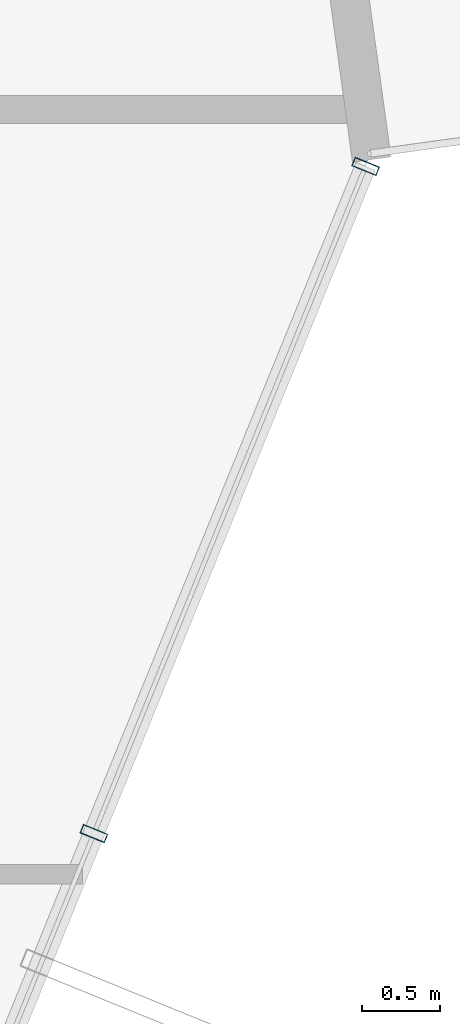
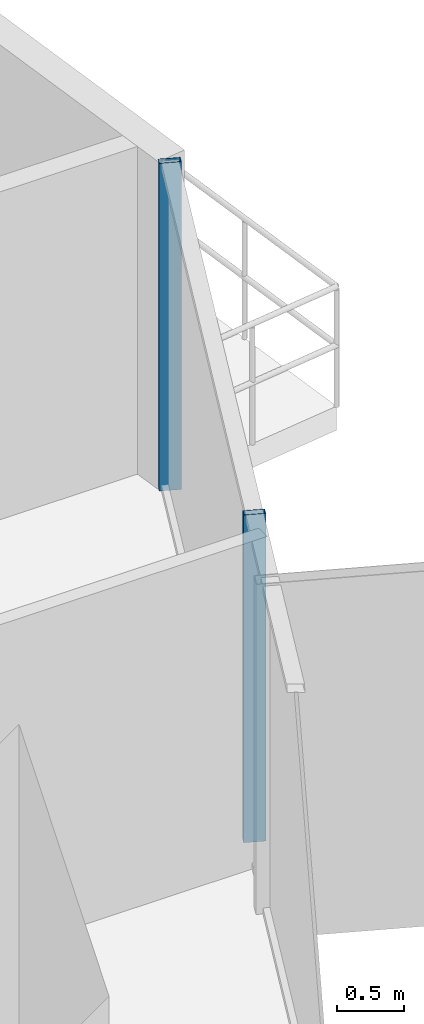
# One storey, part 18 of 37: 2 members, 1 element without a shape of its own.
"""IFC4 building model written with IfcOpenShell, lengths in metres."""

from ifc_helpers import new_model, si_unit, direction, frame, origin, origin_2d, place, context, subcontext, project, spatial, hollow_rectangle, extrude, source, transform, mapped, material, layer, layer_set, material_profile, profile_set, type_object, element, aggregate, save


model = new_model("IFC4")

# Units and contexts
model_context = context("Model", 3, precision=1e-05, world=origin(), true_north=direction((0.0, 1.0)))
body_context = subcontext(model_context, "Body", "Model", "MODEL_VIEW")
ifc_project = project(units=[si_unit("LENGTHUNIT", "METRE"), si_unit("AREAUNIT", "SQUARE_METRE"), si_unit("VOLUMEUNIT", "CUBIC_METRE"), si_unit("PLANEANGLEUNIT", "RADIAN"), si_unit("MASSUNIT", "GRAM", prefix="KILO")], contexts=[model_context])

# Site, building, storey
site_placement = place(None, origin())
site = spatial("IfcSite", under=ifc_project, at=site_placement, CompositionType="ELEMENT")
building_placement = place(site_placement, origin())
building = spatial("IfcBuilding", under=site, at=building_placement, Name="Veraguas Prism Commons", CompositionType="ELEMENT")
storey_placement = place(building_placement, frame((0.0, 0.0, 50.050048828125)))
storey = spatial("IfcBuildingStorey", under=building, at=storey_placement, Name="L13", CompositionType="ELEMENT", Elevation=50.050048828125)

# Curtain wall, members
ifc_material = material(Name="Anodised aluminium EN AW-6063 T6", Category="aluminium")
ifc_layer = layer(ifc_material, 0.169921875, Name="Unitised Flush Curtain Wall Zone 1", Category="aluminium")
ifc_layer_set = layer_set([ifc_layer], Name="Anodised aluminium EN AW-6063 T6")
curtain_wall_type = type_object("IfcCurtainWallType", Name="Unitised Flush Curtain Wall Zone 1", PredefinedType="NOTDEFINED", material=ifc_layer_set)
curtain_wall_placement = place(storey_placement, origin())
curtain_wall = element("IfcCurtainWall", 1, at=curtain_wall_placement, inside=storey, type_object=curtain_wall_type, Name="Tower Facade Curtain Wall L13-F6", PredefinedType="NOTDEFINED")
ifc_material_profile = material_profile(ifc_material, hollow_rectangle(XDim=0.06005859375, YDim=0.169921875, WallThickness=0.00390625, at=origin_2d()), Name="AL60X170X4")
ifc_profile_set = profile_set([ifc_material_profile], Name="Anodised aluminium EN AW-6063 T6")
member_type = type_object("IfcMemberType", Name="Curtain Wall Mullion Lower AL 60x170x4", PredefinedType="MULLION", material=ifc_profile_set)
shared_shape = source(origin(), body_context, "Body", "SweptSolid", [
    extrude(hollow_rectangle(XDim=0.06005859375, YDim=0.169921875, WallThickness=0.00390625, at=origin_2d()), origin(), (0.0, 0.0, 1.0), 3.0),
])
member_1_placement = place(storey_placement, frame((45.01123046875, 20.486083984375, 0.0), z_axis=(0.0, 0.0, 1.0), x_axis=(0.377197548003, 0.926132825128, 0.0)))
member_1 = element("IfcMember", 2, at=member_1_placement, type_object=member_type, Name="CW-Z1 Mullion 4", PredefinedType="MULLION", context=body_context, shape_type="MappedRepresentation", body=[
    mapped(shared_shape, transform((0.0, 0.0, 0.0), scale=1.0)),
])
member_2_placement = place(storey_placement, frame((46.76171875, 24.7841796875, 0.0), z_axis=(0.0, 0.0, 1.0), x_axis=(0.377197548003, 0.926132825128, 0.0)))
member_2 = element("IfcMember", 3, at=member_2_placement, type_object=member_type, Name="CW-Z1 Mullion 5", PredefinedType="MULLION", context=body_context, shape_type="MappedRepresentation", body=[
    mapped(shared_shape, transform((0.0, 0.0, 0.0), scale=1.0)),
])
aggregate(curtain_wall, [member_1, member_2])

save(model, "model.ifc")
